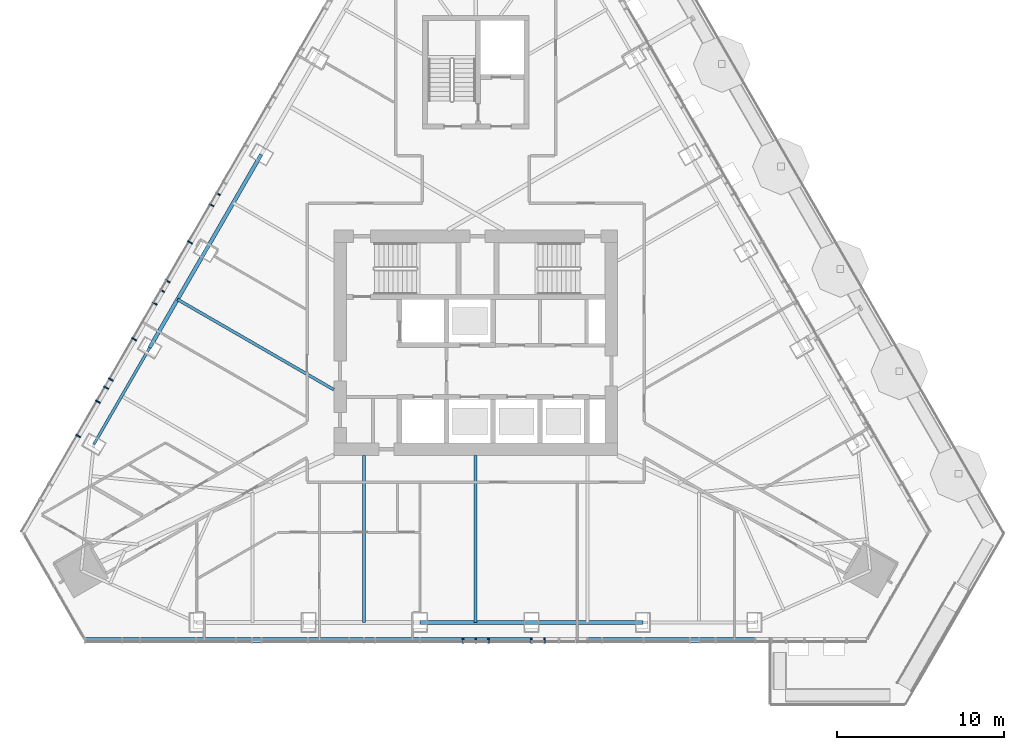
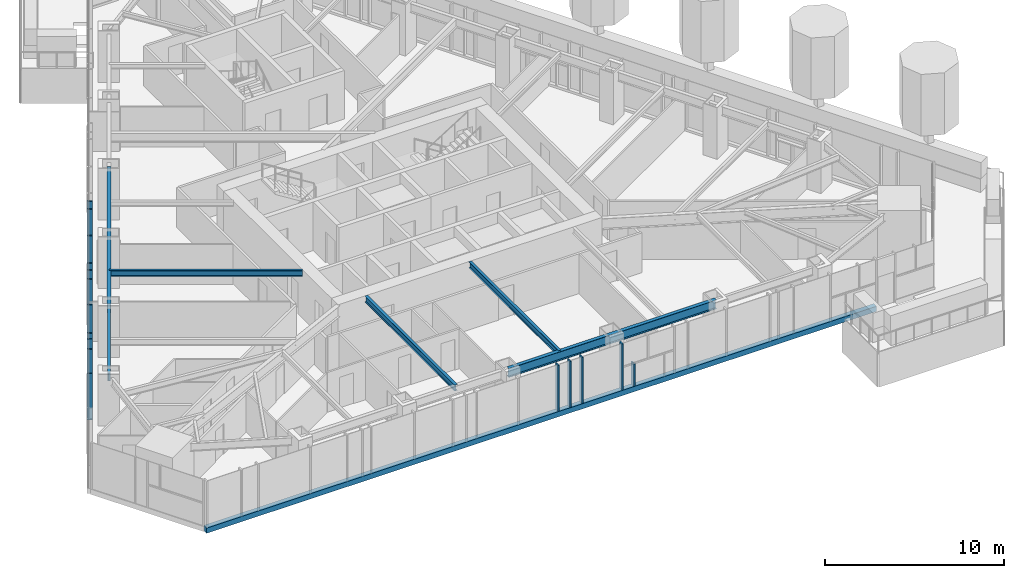
# One storey, part 3 of 24: 17 members, 6 beams, 2 elements without a shape of their own.
"""IFC4 building model written with IfcOpenShell, lengths in metres."""

from ifc_helpers import new_model, si_unit, direction, frame, origin, origin_2d, place, context, subcontext, project, spatial, rectangle, i_section, extrude, material, layer, layer_set, material_profile, profile_set, type_object, element, aggregate, save


model = new_model("IFC4")

# Units and contexts
model_context = context("Model", 3, precision=1e-05, world=origin(), true_north=direction((0.0, 1.0)))
body_context = subcontext(model_context, "Body", "Model", "MODEL_VIEW")
ifc_project = project(units=[si_unit("LENGTHUNIT", "METRE"), si_unit("AREAUNIT", "SQUARE_METRE"), si_unit("VOLUMEUNIT", "CUBIC_METRE"), si_unit("PLANEANGLEUNIT", "RADIAN"), si_unit("MASSUNIT", "GRAM", prefix="KILO")], contexts=[model_context])

# Site, building, storey
site_placement = place(None, origin())
site = spatial("IfcSite", under=ifc_project, at=site_placement, CompositionType="ELEMENT")
building_placement = place(site_placement, origin())
building = spatial("IfcBuilding", under=site, at=building_placement, Name="Firuza Gate Tower and Library", CompositionType="ELEMENT")
storey_placement = place(building_placement, frame((0.0, 0.0, 267.10009765625)))
storey = spatial("IfcBuildingStorey", under=building, at=storey_placement, Name="L63", CompositionType="ELEMENT", Elevation=267.10009765625)

# Curtain wall, members
ifc_material_1 = material(Name="Aluminium 6063-T6", Category="aluminium")
ifc_layer = layer(ifc_material_1, 0.14990234375)
ifc_layer_set = layer_set([ifc_layer], Name="Unitised curtain wall, residences")
curtain_wall_type = type_object("IfcCurtainWallType", Name="Unitised curtain wall, residences", PredefinedType="NOTDEFINED", material=ifc_layer_set)
placement = place(storey_placement, origin())
curtain_wall_1 = element("IfcCurtainWall", 1, at=placement, inside=storey, type_object=curtain_wall_type, Name="CW3 L63 S face", PredefinedType="NOTDEFINED")
ifc_material_2 = material(Name="Aluminium 6063-T6", Category="aluminium")
ifc_material_profile_1 = material_profile(ifc_material_2, rectangle(XDim=0.320068359375, YDim=0.080078125, at=origin_2d()))
ifc_profile_set_1 = profile_set([ifc_material_profile_1], Name="Aluminium 6063-T6")
member_type_1 = type_object("IfcMemberType", Name="Curtain wall mullion 80x320", PredefinedType="MULLION", material=ifc_profile_set_1)
member_1_placement = place(storey_placement, frame((75.0, 57.17919921875, 0.14990234375), z_axis=(0.0, 0.0, 1.0), x_axis=(0.0, 1.0, 0.0)))
member_1 = element("IfcMember", 2, at=member_1_placement, type_object=member_type_1, Name="Mullion", PredefinedType="MULLION", context=body_context, shape_type="SweptSolid", body=[
    extrude(rectangle(XDim=0.320068359375, YDim=0.080078125, at=origin_2d()), origin(), (0.0, 0.0, 1.0), 3.14990234375),
])
member_2_placement = place(storey_placement, frame((78.347412109375, 57.17919921875, 0.14990234375), z_axis=(0.0, 0.0, 1.0), x_axis=(0.0, 1.0, 0.0)))
member_2 = element("IfcMember", 3, at=member_2_placement, type_object=member_type_1, Name="Mullion", PredefinedType="MULLION", context=body_context, shape_type="SweptSolid", body=[
    extrude(rectangle(XDim=0.320068359375, YDim=0.080078125, at=origin_2d()), origin(), (0.0, 0.0, 1.0), 3.14990234375),
])
member_3_placement = place(storey_placement, frame((74.2314453125, 57.17919921875, 0.14990234375), z_axis=(0.0, 0.0, 1.0), x_axis=(0.0, 1.0, 0.0)))
member_3 = element("IfcMember", 4, at=member_3_placement, type_object=member_type_1, Name="Mullion", PredefinedType="MULLION", context=body_context, shape_type="SweptSolid", body=[
    extrude(rectangle(XDim=0.320068359375, YDim=0.080078125, at=origin_2d()), origin(), (0.0, 0.0, 1.0), 3.14990234375),
])
member_4_placement = place(storey_placement, frame((75.7685546875, 57.17919921875, 0.14990234375), z_axis=(0.0, 0.0, 1.0), x_axis=(0.0, 1.0, 0.0)))
member_4 = element("IfcMember", 5, at=member_4_placement, type_object=member_type_1, Name="Mullion", PredefinedType="MULLION", context=body_context, shape_type="SweptSolid", body=[
    extrude(rectangle(XDim=0.320068359375, YDim=0.080078125, at=origin_2d()), origin(), (0.0, 0.0, 1.0), 3.14990234375),
])
member_5_placement = place(storey_placement, frame((79.113525390625, 57.17919921875, 0.14990234375), z_axis=(0.0, 0.0, 1.0), x_axis=(0.0, 1.0, 0.0)))
member_5 = element("IfcMember", 6, at=member_5_placement, type_object=member_type_1, Name="Mullion", PredefinedType="MULLION", context=body_context, shape_type="SweptSolid", body=[
    extrude(rectangle(XDim=0.320068359375, YDim=0.080078125, at=origin_2d()), origin(), (0.0, 0.0, 1.0), 1.534912109375),
])

curtain_wall_2 = element("IfcCurtainWall", 7, at=placement, inside=storey, type_object=curtain_wall_type, Name="CW3 L63 W face", PredefinedType="NOTDEFINED")
member_6_placement = place(storey_placement, frame((59.566650390625, 83.910400390625, 0.14990234375), z_axis=(0.0, 0.0, 1.0), x_axis=(0.866025403784, -0.5, 0.0)))
member_6 = element("IfcMember", 8, at=member_6_placement, type_object=member_type_1, Name="Mullion", PredefinedType="MULLION", context=body_context, shape_type="SweptSolid", body=[
    extrude(rectangle(XDim=0.320068359375, YDim=0.080078125, at=origin_2d()), origin(), (0.0, 0.0, 1.0), 3.14990234375),
])
member_7_placement = place(storey_placement, frame((57.89306640625, 81.01123046875, 0.14990234375), z_axis=(0.0, 0.0, 1.0), x_axis=(0.866025403784, -0.5, 0.0)))
member_7 = element("IfcMember", 9, at=member_7_placement, type_object=member_type_1, Name="Mullion", PredefinedType="MULLION", context=body_context, shape_type="SweptSolid", body=[
    extrude(rectangle(XDim=0.320068359375, YDim=0.080078125, at=origin_2d()), origin(), (0.0, 0.0, 1.0), 3.14990234375),
])
member_8_placement = place(storey_placement, frame((56.21923828125, 78.1123046875, 0.14990234375), z_axis=(0.0, 0.0, 1.0), x_axis=(0.866025403784, -0.5, 0.0)))
member_8 = element("IfcMember", 10, at=member_8_placement, type_object=member_type_1, Name="Mullion", PredefinedType="MULLION", context=body_context, shape_type="SweptSolid", body=[
    extrude(rectangle(XDim=0.320068359375, YDim=0.080078125, at=origin_2d()), origin(), (0.0, 0.0, 1.0), 3.14990234375),
])
member_9_placement = place(storey_placement, frame((54.54541015625, 75.21337890625, 0.14990234375), z_axis=(0.0, 0.0, 1.0), x_axis=(0.866025403784, -0.5, 0.0)))
member_9 = element("IfcMember", 11, at=member_9_placement, type_object=member_type_1, Name="Mullion", PredefinedType="MULLION", context=body_context, shape_type="SweptSolid", body=[
    extrude(rectangle(XDim=0.320068359375, YDim=0.080078125, at=origin_2d()), origin(), (0.0, 0.0, 1.0), 3.14990234375),
])
member_10_placement = place(storey_placement, frame((52.871826171875, 72.314208984375, 0.14990234375), z_axis=(0.0, 0.0, 1.0), x_axis=(0.866025403784, -0.5, 0.0)))
member_10 = element("IfcMember", 12, at=member_10_placement, type_object=member_type_1, Name="Mullion", PredefinedType="MULLION", context=body_context, shape_type="SweptSolid", body=[
    extrude(rectangle(XDim=0.320068359375, YDim=0.080078125, at=origin_2d()), origin(), (0.0, 0.0, 1.0), 3.14990234375),
])
member_11_placement = place(storey_placement, frame((51.197998046875, 69.415283203125, 0.14990234375), z_axis=(0.0, 0.0, 1.0), x_axis=(0.866025403784, -0.5, 0.0)))
member_11 = element("IfcMember", 13, at=member_11_placement, type_object=member_type_1, Name="Mullion", PredefinedType="MULLION", context=body_context, shape_type="SweptSolid", body=[
    extrude(rectangle(XDim=0.320068359375, YDim=0.080078125, at=origin_2d()), origin(), (0.0, 0.0, 1.0), 3.14990234375),
])
member_12_placement = place(storey_placement, frame((59.1826171875, 83.244873046875, 0.14990234375), z_axis=(0.0, 0.0, 1.0), x_axis=(0.866025403784, -0.5, 0.0)))
member_12 = element("IfcMember", 14, at=member_12_placement, type_object=member_type_1, Name="Mullion", PredefinedType="MULLION", context=body_context, shape_type="SweptSolid", body=[
    extrude(rectangle(XDim=0.320068359375, YDim=0.080078125, at=origin_2d()), origin(), (0.0, 0.0, 1.0), 3.14990234375),
])
member_13_placement = place(storey_placement, frame((56.551025390625, 78.68701171875, 0.14990234375), z_axis=(0.0, 0.0, 1.0), x_axis=(0.866025403784, -0.5, 0.0)))
member_13 = element("IfcMember", 15, at=member_13_placement, type_object=member_type_1, Name="Mullion", PredefinedType="MULLION", context=body_context, shape_type="SweptSolid", body=[
    extrude(rectangle(XDim=0.320068359375, YDim=0.080078125, at=origin_2d()), origin(), (0.0, 0.0, 1.0), 3.14990234375),
])
member_14_placement = place(storey_placement, frame((55.782470703125, 77.35595703125, 0.14990234375), z_axis=(0.0, 0.0, 1.0), x_axis=(0.866025403784, -0.5, 0.0)))
member_14 = element("IfcMember", 16, at=member_14_placement, type_object=member_type_1, Name="Mullion", PredefinedType="MULLION", context=body_context, shape_type="SweptSolid", body=[
    extrude(rectangle(XDim=0.320068359375, YDim=0.080078125, at=origin_2d()), origin(), (0.0, 0.0, 1.0), 3.14990234375),
])
member_15_placement = place(storey_placement, frame((53.151123046875, 72.7978515625, 0.14990234375), z_axis=(0.0, 0.0, 1.0), x_axis=(0.866025403784, -0.5, 0.0)))
member_15 = element("IfcMember", 17, at=member_15_placement, type_object=member_type_1, Name="Mullion", PredefinedType="MULLION", context=body_context, shape_type="SweptSolid", body=[
    extrude(rectangle(XDim=0.320068359375, YDim=0.080078125, at=origin_2d()), origin(), (0.0, 0.0, 1.0), 3.14990234375),
])
member_16_placement = place(storey_placement, frame((52.382568359375, 71.466796875, 0.14990234375), z_axis=(0.0, 0.0, 1.0), x_axis=(0.866025403784, -0.5, 0.0)))
member_16 = element("IfcMember", 18, at=member_16_placement, type_object=member_type_1, Name="Mullion", PredefinedType="MULLION", context=body_context, shape_type="SweptSolid", body=[
    extrude(rectangle(XDim=0.320068359375, YDim=0.080078125, at=origin_2d()), origin(), (0.0, 0.0, 1.0), 3.14990234375),
])
aggregate(curtain_wall_2, [member_6, member_7, member_8, member_9, member_10, member_11, member_12, member_13, member_14, member_15, member_16])

# Member
ifc_material_3 = material(Name="Aluminium 6063-T6", Category="aluminium")
ifc_material_profile_2 = material_profile(ifc_material_3, rectangle(XDim=0.320068359375, YDim=0.35009765625, at=origin_2d()))
ifc_profile_set_2 = profile_set([ifc_material_profile_2], Name="Aluminium 6063-T6")
member_type_2 = type_object("IfcMemberType", Name="Curtain wall transom 350x320", PredefinedType="USERDEFINED", material=ifc_profile_set_2)
member_17_placement = place(storey_placement, frame((51.5673828125, 57.17919921875, -0.025146484375), z_axis=(1.0, 0.0, 0.0), x_axis=(0.0, 1.0, 0.0)))
member_17 = element("IfcMember", 19, at=member_17_placement, type_object=member_type_2, Name="Transom", ObjectType="TRANSOM", PredefinedType="USERDEFINED", context=body_context, shape_type="SweptSolid", body=[
    extrude(rectangle(XDim=0.320068359375, YDim=0.35009765625, at=origin_2d()), origin(), (0.0, 0.0, 1.0), 43.1201171875),
])

aggregate(curtain_wall_1, [member_1, member_2, member_17, member_3, member_4, member_5])

# Beams
ifc_material_4 = material(Name="Steel S355", Category="steel")
ifc_material_profile_3 = material_profile(ifc_material_4, i_section(OverallWidth=0.177978515625, OverallDepth=0.406982421875, WebThickness=0.0078125, FlangeThickness=0.0126953125, at=origin_2d()))
ifc_profile_set_3 = profile_set([ifc_material_profile_3], Name="Steel S355")
beam_type_1 = type_object("IfcBeamType", Name="W410x60 Floor beam", PredefinedType="JOIST", material=ifc_profile_set_3)
for number, where, z_axis, x_axis, name in (
    (20, (68.3173828125, 58.2392578125, 3.096435546875), (0.0, 1.0, 0.0), (-1.0, 0.0, 0.0), "Floor beam L63 s21"),
    (21, (75.0, 58.2392578125, 3.096435546875), (0.0, 1.0, 0.0), (-1.0, 0.0, 0.0), "Floor beam L63 s22"),
):
    element("IfcBeam", number, at=place(storey_placement, frame(where, z_axis=z_axis, x_axis=x_axis)), inside=storey, type_object=beam_type_1, Name=name, PredefinedType="JOIST", context=body_context, shape_type="SweptSolid", body=[
        extrude(i_section(OverallWidth=0.177978515625, OverallDepth=0.406982421875, WebThickness=0.0078125, FlangeThickness=0.0126953125, at=origin_2d()), origin(), (0.0, 0.0, 1.0), 10.0107421875),
    ])
beam_1_placement = place(storey_placement, frame((57.143310546875, 77.593017578125, 3.096435546875), z_axis=(0.866024905415, -0.5000008632, 0.0), x_axis=(0.5000008632, 0.866024905415, 0.0)))
element("IfcBeam", 22, at=beam_1_placement, inside=storey, type_object=beam_type_1, Name="Floor beam L63 s83", PredefinedType="JOIST", context=body_context, shape_type="SweptSolid", body=[
    extrude(i_section(OverallWidth=0.177978515625, OverallDepth=0.406982421875, WebThickness=0.0078125, FlangeThickness=0.0126953125, at=origin_2d()), origin(), (0.0, 0.0, 1.0), 10.80419921875),
])
ifc_material_5 = material(Name="Steel S355", Category="steel")
ifc_material_profile_4 = material_profile(ifc_material_5, i_section(OverallWidth=0.166015625, OverallDepth=0.534912109375, WebThickness=0.01025390625, FlangeThickness=0.0166015625, at=origin_2d()))
ifc_profile_set_4 = profile_set([ifc_material_profile_4], Name="Steel S355")
beam_type_2 = type_object("IfcBeamType", Name="W530x85 Edge beam", PredefinedType="SPANDREL", material=ifc_profile_set_4)
beam_2_placement = place(storey_placement, frame((55.47265625, 74.699462890625, 3.032470703125), z_axis=(-0.499981766188, -0.866035930824, 0.0), x_axis=(0.866035930824, -0.499981766188, 0.0)))
element("IfcBeam", 23, at=beam_2_placement, inside=storey, type_object=beam_type_2, Name="Edge beam L63 e84", PredefinedType="SPANDREL", context=body_context, shape_type="SweptSolid", body=[
    extrude(i_section(OverallWidth=0.166015625, OverallDepth=0.534912109375, WebThickness=0.01025390625, FlangeThickness=0.0166015625, at=origin_2d()), origin(), (0.0, 0.0, 1.0), 6.682861328125),
])
ifc_material_6 = material(Name="Steel S355", Category="steel")
ifc_material_profile_5 = material_profile(ifc_material_6, i_section(OverallWidth=0.22900390625, OverallDepth=0.612060546875, WebThickness=0.011962890625, FlangeThickness=0.01953125, at=origin_2d()))
ifc_profile_set_5 = profile_set([ifc_material_profile_5], Name="Steel S355")
beam_type_3 = type_object("IfcBeamType", Name="W610x125 Edge beam", PredefinedType="SPANDREL", material=ifc_profile_set_5)
beam_3_placement = place(storey_placement, frame((71.65869140625, 58.2392578125, 2.993896484375), z_axis=(1.0, 0.0, 0.0), x_axis=(0.0, 1.0, 0.0)))
element("IfcBeam", 24, at=beam_3_placement, inside=storey, type_object=beam_type_3, Name="Edge beam L63 e22", PredefinedType="SPANDREL", context=body_context, shape_type="SweptSolid", body=[
    extrude(i_section(OverallWidth=0.22900390625, OverallDepth=0.612060546875, WebThickness=0.011962890625, FlangeThickness=0.01953125, at=origin_2d()), origin(), (0.0, 0.0, 1.0), 13.365234375),
])
beam_4_placement = place(storey_placement, frame((62.155517578125, 86.274169921875, 2.993896484375), z_axis=(-0.500011285115, -0.866018888222, 0.0), x_axis=(0.866018888222, -0.500011285115, 0.0)))
element("IfcBeam", 25, at=beam_4_placement, inside=storey, type_object=beam_type_3, Name="Edge beam L63 e82", PredefinedType="SPANDREL", context=body_context, shape_type="SweptSolid", body=[
    extrude(i_section(OverallWidth=0.22900390625, OverallDepth=0.612060546875, WebThickness=0.011962890625, FlangeThickness=0.01953125, at=origin_2d()), origin(), (0.0, 0.0, 1.0), 13.365478515625),
])

save(model, "model.ifc")
